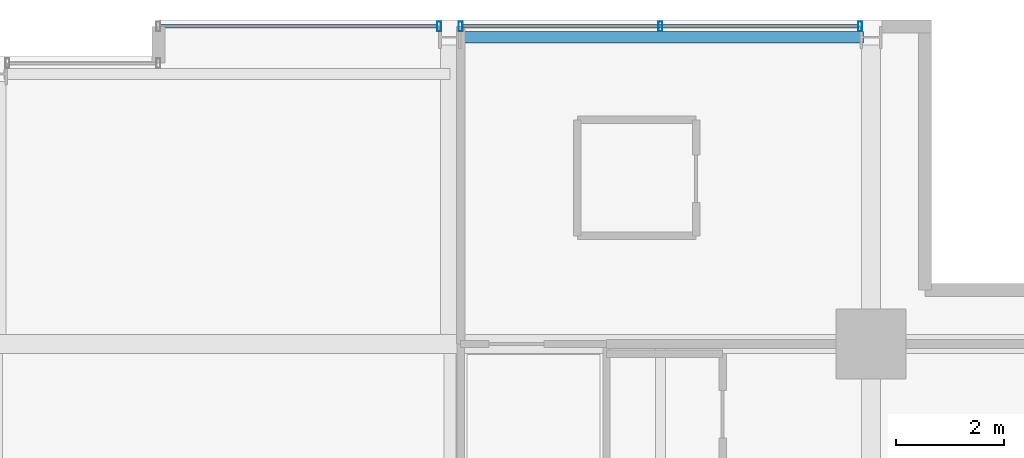
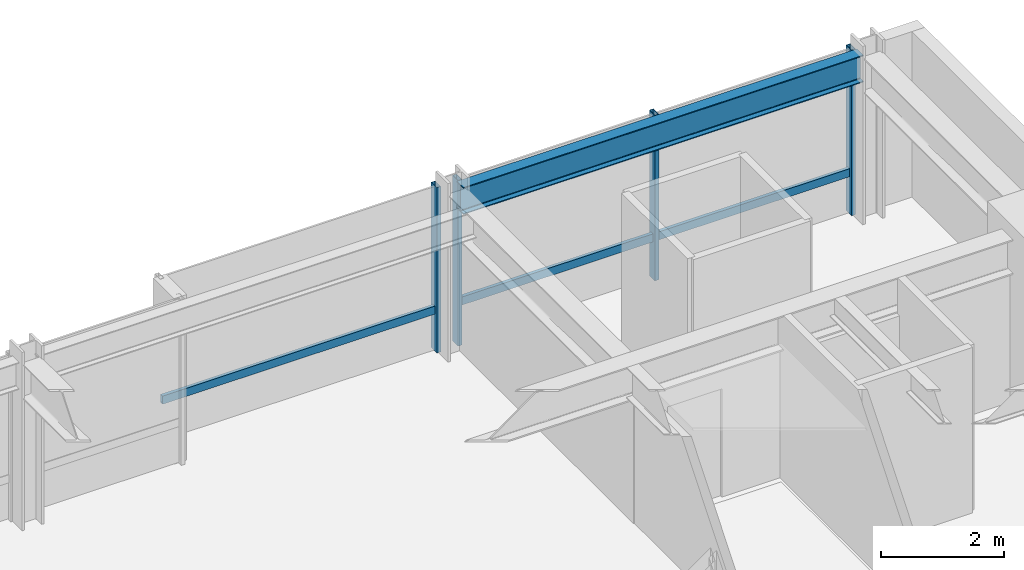
# One storey, part 25 of 32: 6 members, 1 beam, 2 elements without a shape of their own.
"""IFC4 building model written with IfcOpenShell, lengths in metres."""

from ifc_helpers import new_model, si_unit, direction, frame, origin, origin_2d, place, context, subcontext, project, spatial, hollow_rectangle, i_section, extrude, material, layer, layer_set, material_profile, profile_set, type_object, element, aggregate, save


model = new_model("IFC4")

# Units and contexts
model_context = context("Model", 3, precision=1e-05, world=origin(), true_north=direction((0.0, 1.0)))
body_context = subcontext(model_context, "Body", "Model", "MODEL_VIEW")
ifc_project = project(units=[si_unit("LENGTHUNIT", "METRE"), si_unit("AREAUNIT", "SQUARE_METRE"), si_unit("VOLUMEUNIT", "CUBIC_METRE"), si_unit("PLANEANGLEUNIT", "RADIAN"), si_unit("MASSUNIT", "GRAM", prefix="KILO")], contexts=[model_context])

# Site, building, storey
site_placement = place(None, origin())
site = spatial("IfcSite", under=ifc_project, at=site_placement, CompositionType="ELEMENT")
building_placement = place(site_placement, origin())
building = spatial("IfcBuilding", under=site, at=building_placement, Name="Drelvath Grand Hotel", CompositionType="ELEMENT")
storey_placement = place(building_placement, frame((0.0, 0.0, 164.60009765625)))
storey = spatial("IfcBuildingStorey", under=building, at=storey_placement, Name="L42", CompositionType="ELEMENT", Elevation=164.60009765625)

# Curtain wall, member
ifc_material_1 = material(Name="Brushed Pale-Silver Anodised Aluminium Frame", Category="aluminium")
ifc_layer = layer(ifc_material_1, 0.199951171875)
ifc_layer_set = layer_set([ifc_layer], Name="Brushed Pale-Silver Anodised Aluminium Frame")
curtain_wall_type = type_object("IfcCurtainWallType", Name="Stick Curtain Wall CW-04 Brushed Silver Upper-Mid", PredefinedType="NOTDEFINED", material=ifc_layer_set)
curtain_wall_1_placement = place(storey_placement, origin())
curtain_wall_1 = element("IfcCurtainWall", 1, at=curtain_wall_1_placement, inside=storey, type_object=curtain_wall_type, Name="L42 CW-04 Curtain Wall CW04-L42-NE1", PredefinedType="NOTDEFINED")
ifc_material_profile_1 = material_profile(ifc_material_1, hollow_rectangle(XDim=0.06494140625, YDim=0.159912109375, WallThickness=0.00390625, at=origin_2d()), Name="HSS160X65X4")
ifc_profile_set_1 = profile_set([ifc_material_profile_1], Name="Brushed Pale-Silver Anodised Aluminium Frame")
member_type_1 = type_object("IfcMemberType", Name="Curtain Wall Horizontal Transom CW-04 HSS160X65X4", PredefinedType="USERDEFINED", material=ifc_profile_set_1)
member_1_placement = place(storey_placement, frame((3.0400390625, 49.080078125, 0.822509765625), z_axis=(1.0, 0.0, 0.0), x_axis=(0.0, 1.0, 0.0)))
member_1 = element("IfcMember", 2, at=member_1_placement, type_object=member_type_1, Name="CW04-L42-NE1 Sill Transom", ObjectType="TRANSOM", PredefinedType="USERDEFINED", context=body_context, shape_type="SweptSolid", body=[
    extrude(hollow_rectangle(XDim=0.06494140625, YDim=0.159912109375, WallThickness=0.00390625, at=origin_2d()), origin(), (0.0, 0.0, 1.0), 5.119873046875),
])

curtain_wall_2_placement = place(storey_placement, origin())
curtain_wall_2 = element("IfcCurtainWall", 3, at=curtain_wall_2_placement, inside=storey, type_object=curtain_wall_type, Name="L42 CW-04 Curtain Wall CW04-L42-NE2", PredefinedType="NOTDEFINED")
member_2_placement = place(storey_placement, frame((8.64013671875, 49.080078125, 0.822509765625), z_axis=(1.0, 0.0, 0.0), x_axis=(0.0, 1.0, 0.0)))
member_2 = element("IfcMember", 4, at=member_2_placement, type_object=member_type_1, Name="CW04-L42-NE2 Sill Transom", ObjectType="TRANSOM", PredefinedType="USERDEFINED", context=body_context, shape_type="SweptSolid", body=[
    extrude(hollow_rectangle(XDim=0.06494140625, YDim=0.159912109375, WallThickness=0.00390625, at=origin_2d()), origin(), (0.0, 0.0, 1.0), 7.31982421875),
])

# Member
ifc_material_profile_2 = material_profile(ifc_material_1, hollow_rectangle(XDim=0.074951171875, YDim=0.179931640625, WallThickness=0.0048828125, at=origin_2d()), Name="HSS180X75X5")
ifc_profile_set_2 = profile_set([ifc_material_profile_2], Name="Brushed Pale-Silver Anodised Aluminium Frame")
member_type_2 = type_object("IfcMemberType", Name="Curtain Wall Vertical Mullion CW-04 HSS180X75X5", PredefinedType="MULLION", material=ifc_profile_set_2)
member_3_placement = place(storey_placement, frame((8.199951171875, 49.080078125, 0.0), z_axis=(0.0, 0.0, 1.0), x_axis=(1.0, 0.0, 0.0)))
member_3 = element("IfcMember", 5, at=member_3_placement, type_object=member_type_2, Name="CW04-L42-NE1 Mullion 2", PredefinedType="MULLION", context=body_context, shape_type="SweptSolid", body=[
    extrude(hollow_rectangle(XDim=0.074951171875, YDim=0.179931640625, WallThickness=0.0048828125, at=origin_2d()), origin(), (0.0, 0.0, 1.0), 3.289794921875),
])

aggregate(curtain_wall_1, [member_3, member_1])

member_4_placement = place(storey_placement, frame((8.60009765625, 49.080078125, 0.0), z_axis=(0.0, 0.0, 1.0), x_axis=(1.0, 0.0, 0.0)))
member_4 = element("IfcMember", 6, at=member_4_placement, type_object=member_type_2, Name="CW04-L42-NE2 Mullion 1", PredefinedType="MULLION", context=body_context, shape_type="SweptSolid", body=[
    extrude(hollow_rectangle(XDim=0.074951171875, YDim=0.179931640625, WallThickness=0.0048828125, at=origin_2d()), origin(), (0.0, 0.0, 1.0), 3.289794921875),
])

member_5_placement = place(storey_placement, frame((12.300048828125, 49.080078125, 0.0), z_axis=(0.0, 0.0, 1.0), x_axis=(1.0, 0.0, 0.0)))
member_5 = element("IfcMember", 7, at=member_5_placement, type_object=member_type_2, Name="CW04-L42-NE2 Mullion 2", PredefinedType="MULLION", context=body_context, shape_type="SweptSolid", body=[
    extrude(hollow_rectangle(XDim=0.074951171875, YDim=0.179931640625, WallThickness=0.0048828125, at=origin_2d()), origin(), (0.0, 0.0, 1.0), 3.289794921875),
])

member_6_placement = place(storey_placement, frame((16.0, 49.080078125, 0.0), z_axis=(0.0, 0.0, 1.0), x_axis=(1.0, 0.0, 0.0)))
member_6 = element("IfcMember", 8, at=member_6_placement, type_object=member_type_2, Name="CW04-L42-NE2 Mullion 3", PredefinedType="MULLION", context=body_context, shape_type="SweptSolid", body=[
    extrude(hollow_rectangle(XDim=0.074951171875, YDim=0.179931640625, WallThickness=0.0048828125, at=origin_2d()), origin(), (0.0, 0.0, 1.0), 3.289794921875),
])

aggregate(curtain_wall_2, [member_4, member_5, member_6, member_2])

# Beam
ifc_material_2 = material(Name="Steel ASTM A992 Gr 50", Category="steel")
ifc_material_profile_3 = material_profile(ifc_material_2, i_section(OverallWidth=0.210205078125, OverallDepth=0.53662109375, WebThickness=0.010986328125, FlangeThickness=0.017333984375, FilletRadius=0.01806640625, at=origin_2d()), Name="W21X68")
ifc_profile_set_3 = profile_set([ifc_material_profile_3], Name="Steel ASTM A992 Gr 50")
beam_type = type_object("IfcBeamType", Name="Perimeter Spandrel Beam W21X68", PredefinedType="SPANDREL", material=ifc_profile_set_3)
beam_placement = place(storey_placement, frame((8.5400390625, 48.8798828125, 3.021484375), z_axis=(1.0, 0.0, 0.0), x_axis=(0.0, 1.0, 0.0)))
element("IfcBeam", 9, at=beam_placement, inside=storey, type_object=beam_type, Name="L42 Spandrel North E", PredefinedType="SPANDREL", context=body_context, shape_type="SweptSolid", body=[
    extrude(i_section(OverallWidth=0.210205078125, OverallDepth=0.53662109375, WebThickness=0.010986328125, FlangeThickness=0.017333984375, FilletRadius=0.01806640625, at=origin_2d()), origin(), (0.0, 0.0, 1.0), 7.52001953125),
])

save(model, "model.ifc")
